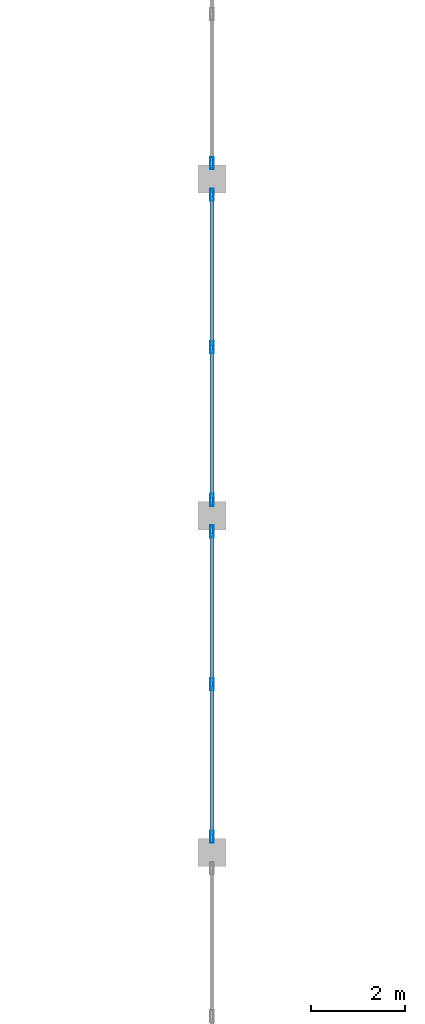
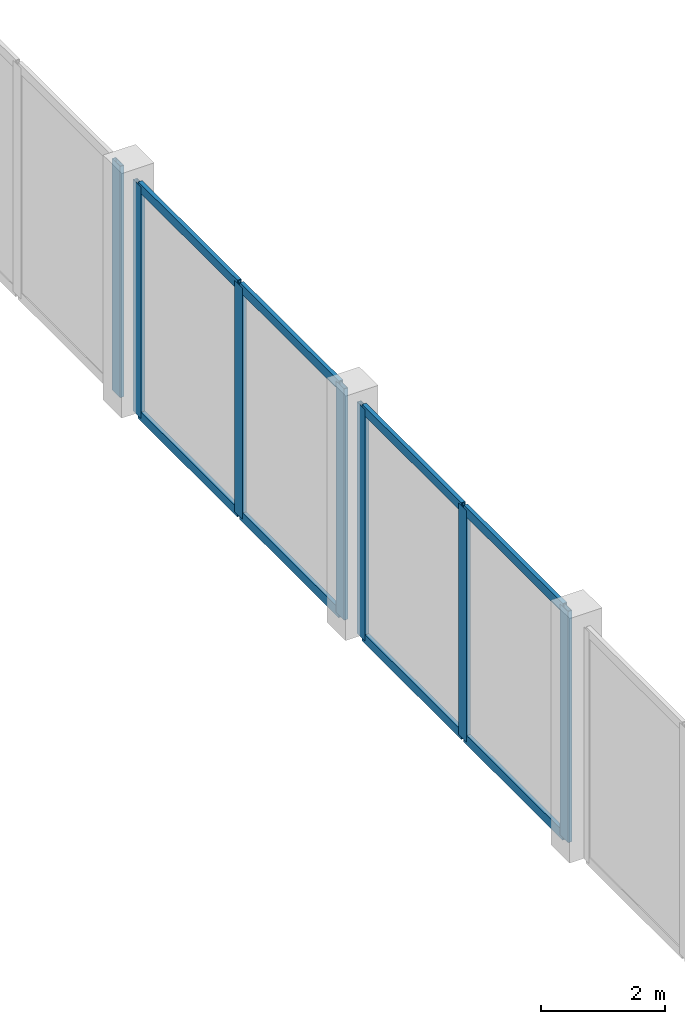
# One storey, part 30 of 99: 15 members, 3 elements without a shape of their own.
"""IFC4 building model written with IfcOpenShell, lengths in metres."""

import ifcopenshell
import ifcopenshell.guid

model = None  # the IFC model being written
_history = None  # IfcOwnerHistory: only IFC2X3 demands one
_inside = {}  # id of a spatial element -> (the spatial element, [elements in it])
_under = {}  # id of a project, library or spatial element -> (it, [spatial elements below it])
_declared = {}  # id of a project -> (the project, [libraries it declares])
_typed = {}  # id of a type object -> (the type object, [elements of that type])
_made_of = {}  # id of a material, layer set ... -> (it, [elements and type objects made of it])


def new_model(schema):
    """Start an empty IFC model of exactly this schema.

    Asked for "IFC4X3", IfcOpenShell would pick the latest addendum, in which some entities
    have other attributes; the version numbers below select the first issue.
    IFC2X3 requires an IfcOwnerHistory on every rooted entity: one is made here for all.
    """
    global model, _history
    if schema == "IFC4X3":
        model = ifcopenshell.file(schema_version=(4, 3, 0, 0))
    else:
        model = ifcopenshell.file(schema=schema)
    _inside.clear()
    _under.clear()
    _declared.clear()
    _typed.clear()
    _made_of.clear()
    _history = None
    if model.schema == "IFC2X3":
        org = make("IfcOrganization", Name="unknown")
        user = make(
            "IfcPersonAndOrganization",
            ThePerson=make("IfcPerson", FamilyName="unknown"),
            TheOrganization=org,
        )
        app = make(
            "IfcApplication",
            ApplicationDeveloper=org,
            Version="unknown",
            ApplicationFullName="unknown",
            ApplicationIdentifier="unknown",
        )
        _history = make(
            "IfcOwnerHistory",
            OwningUser=user,
            OwningApplication=app,
            ChangeAction="ADDED",
            CreationDate=0,
        )
    return model


def make(cls, **values):
    """One entity of the class cls with the attributes given. An attribute that is None is left unset."""
    return model.create_entity(
        cls, **{name: value for name, value in values.items() if value is not None}
    )


def rooted(cls, **values):
    """An entity with a GlobalId (a new one), such as an element, a storey or a relation."""
    return make(cls, GlobalId=ifcopenshell.guid.new(), OwnerHistory=_history, **values)


def si_unit(unit_type, name, prefix=None):
    """IfcSIUnit, for example si_unit("LENGTHUNIT", "METRE", prefix="MILLI")."""
    return make("IfcSIUnit", UnitType=unit_type, Prefix=prefix, Name=name)


def assignment(units):
    """IfcUnitAssignment: the units of a project."""
    return None if units is None else make("IfcUnitAssignment", Units=units)


def point(xyz):
    """IfcCartesianPoint."""
    return None if xyz is None else make("IfcCartesianPoint", Coordinates=xyz)


def direction(xyz):
    """IfcDirection."""
    return None if xyz is None else make("IfcDirection", DirectionRatios=xyz)


def frame(location, z_axis=None, x_axis=None):
    """IfcAxis2Placement3D, a coordinate frame: its origin and axes. An axis left out is left unset."""
    return make(
        "IfcAxis2Placement3D",
        Location=point(location),
        Axis=direction(z_axis),
        RefDirection=direction(x_axis),
    )


def frame_2d(location, x_axis=None):
    """IfcAxis2Placement2D, a coordinate frame in the plane: its origin and x axis."""
    return make(
        "IfcAxis2Placement2D", Location=point(location), RefDirection=direction(x_axis)
    )


def origin():
    """The frame at (0, 0, 0) with its axes left unset."""
    return frame((0.0, 0.0, 0.0))


def origin_2d():
    """The frame at (0, 0) in the plane with its x axis left unset."""
    return frame_2d((0.0, 0.0))


def place(relative_to, where):
    """IfcLocalPlacement: puts the frame where relative to a parent placement (None: the world)."""
    return make(
        "IfcLocalPlacement", PlacementRelTo=relative_to, RelativePlacement=where
    )


def context(
    kind, dimensions, precision=None, world=None, true_north=None, identifier=None
):
    """IfcGeometricRepresentationContext, for example the 3D "Model" context."""
    return make(
        "IfcGeometricRepresentationContext",
        ContextIdentifier=identifier,
        ContextType=kind,
        CoordinateSpaceDimension=dimensions,
        Precision=precision,
        WorldCoordinateSystem=world,
        TrueNorth=true_north,
    )


def subcontext(parent, identifier, kind, view, scale=None):
    """IfcGeometricRepresentationSubContext, for example "Body" below "Model"."""
    return make(
        "IfcGeometricRepresentationSubContext",
        ContextIdentifier=identifier,
        ContextType=kind,
        ParentContext=parent,
        TargetScale=scale,
        TargetView=view,
    )


def project(units=None, contexts=None):
    """IfcProject with its units and contexts."""
    return rooted(
        "IfcProject",
        Name="project",
        RepresentationContexts=contexts,
        UnitsInContext=assignment(units),
    )


def spatial(cls, under=None, at=None, **own):
    """A site, building, storey or space (cls), placed at a placement, below another one or the project."""
    s = rooted(cls, ObjectPlacement=at, **own)
    if under is not None:
        _under.setdefault(under.id(), (under, []))[1].append(s)
    return s


def profile(cls, at=None, kind="AREA", **sizes):
    """A parametric profile (cls). Its sizes go by their IFC names, for example OverallWidth=200.0."""
    return make(cls, ProfileType=kind, Position=at, **sizes)


def hollow_rectangle(**sizes):
    """IfcRectangleHollowProfileDef."""
    return profile("IfcRectangleHollowProfileDef", **sizes)


def extrude(swept, where, along, depth):
    """IfcExtrudedAreaSolid: the profile swept, set in the frame where, extruded along a direction by depth."""
    return make(
        "IfcExtrudedAreaSolid",
        SweptArea=swept,
        Position=where,
        ExtrudedDirection=direction(along),
        Depth=depth,
    )


def shape(context_of_items, identifier, shape_type, items):
    """IfcShapeRepresentation: the items that make up one representation, for example the "Body"."""
    return make(
        "IfcShapeRepresentation",
        ContextOfItems=context_of_items,
        RepresentationIdentifier=identifier,
        RepresentationType=shape_type,
        Items=items,
    )


def material(Name=None, Category=None):
    """IfcMaterial."""
    return make("IfcMaterial", Name=Name, Category=Category)


def material_profile(
    of_material, cross_section, Name=None, Category=None, Priority=None
):
    """IfcMaterialProfile: a cross section and its material."""
    return make(
        "IfcMaterialProfile",
        Name=Name,
        Material=of_material,
        Profile=cross_section,
        Priority=Priority,
        Category=Category,
    )


def profile_set(profiles, Name=None, composite=None):
    """IfcMaterialProfileSet."""
    return make(
        "IfcMaterialProfileSet",
        Name=Name,
        MaterialProfiles=profiles,
        CompositeProfile=composite,
    )


def made_of(thing, what):
    """Note that an element or type object is made of a material, layer set ...; save() writes the relation."""
    if what is not None:
        _made_of.setdefault(what.id(), (what, []))[1].append(thing)
    return thing


def type_object(cls, material=None, **own):
    """A type object (cls), such as IfcWallType, which elements share."""
    return made_of(rooted(cls, **own), material)


def element(
    cls,
    number,
    at=None,
    inside=None,
    cuts=None,
    type_object=None,
    material=None,
    context=None,
    identifier="Body",
    shape_type=None,
    held_by="IfcProductDefinitionShape",
    body=None,
    shapes=None,
    **own,
):
    """One element of the class cls, such as IfcWall. Its Tag is "e" and its number.

    at: its placement. inside: the storey or other place that contains it. cuts: it is an
    opening in that element (IfcRelVoidsElement). A single representation is given by context,
    identifier, shape_type and body (its items); several are given by shapes. held_by: the class
    of the entity that holds the representations. save() writes the other relations.
    """
    e = rooted(cls, Tag="e%d" % number, ObjectPlacement=at, **own)
    if body is not None:
        shapes = [shape(context, identifier, shape_type, body)]
    if shapes is not None:
        e.Representation = make(held_by, Representations=shapes)
    if inside is not None:
        _inside.setdefault(inside.id(), (inside, []))[1].append(e)
    if cuts is not None:
        rooted(
            "IfcRelVoidsElement", RelatingBuildingElement=cuts, RelatedOpeningElement=e
        )
    if type_object is not None:
        _typed.setdefault(type_object.id(), (type_object, []))[1].append(e)
    return made_of(e, material)


def aggregate(whole, parts):
    """IfcRelAggregates: a whole, such as a stair, and the parts it consists of."""
    return rooted("IfcRelAggregates", RelatingObject=whole, RelatedObjects=parts)


def save(model, path):
    """Write the relations noted so far, then the file.

    IfcRelAggregates (storeys below a building ...), IfcRelContainedInSpatialStructure (elements
    in a storey), IfcRelDefinesByType, IfcRelAssociatesMaterial and IfcRelDeclares: one each for
    every whole, place, type object, material and project.
    """
    for whole, parts in _under.values():
        aggregate(whole, parts)
    for where, things in _inside.values():
        rooted(
            "IfcRelContainedInSpatialStructure",
            RelatedElements=things,
            RelatingStructure=where,
        )
    for kind, things in _typed.values():
        rooted("IfcRelDefinesByType", RelatedObjects=things, RelatingType=kind)
    for what, things in _made_of.values():
        rooted("IfcRelAssociatesMaterial", RelatedObjects=things, RelatingMaterial=what)
    for by, libraries in _declared.values():
        rooted("IfcRelDeclares", RelatingContext=by, RelatedDefinitions=libraries)
    model.write(path)


model = new_model("IFC4")

# Units and contexts
model_context = context("Model", 3, precision=1e-05, world=origin(), true_north=direction((0.0, 1.0)))
body_context = subcontext(model_context, "Body", "Model", "MODEL_VIEW")
ifc_project = project(units=[si_unit("LENGTHUNIT", "METRE"), si_unit("AREAUNIT", "SQUARE_METRE"), si_unit("VOLUMEUNIT", "CUBIC_METRE"), si_unit("PLANEANGLEUNIT", "RADIAN"), si_unit("MASSUNIT", "GRAM", prefix="KILO")], contexts=[model_context])

# Site, building, storey
site_placement = place(None, origin())
site = spatial("IfcSite", under=ifc_project, at=site_placement, CompositionType="ELEMENT")
building_placement = place(site_placement, origin())
building = spatial("IfcBuilding", under=site, at=building_placement, Name="Vesperath Aquatics Centre", CompositionType="ELEMENT")
storey_placement = place(building_placement, frame((0.0, 0.0, 5.39990234375)))
storey = spatial("IfcBuildingStorey", under=building, at=storey_placement, Name="L01", CompositionType="ELEMENT", Elevation=5.39990234375)

# Curtain wall, members
ifc_material_1 = material(Name="Thermally broken anodised bronze aluminium curtain wall", Category="aluminium")
curtain_wall_type = type_object("IfcCurtainWallType", Name="CW-06", PredefinedType="NOTDEFINED", material=ifc_material_1)
curtain_wall_1_placement = place(storey_placement, origin())
curtain_wall_1 = element("IfcCurtainWall", 1, at=curtain_wall_1_placement, inside=storey, type_object=curtain_wall_type, Name="Facade Curtain Wall CW06 L01_E_08_13", PredefinedType="NOTDEFINED")
ifc_material_2 = material(Name="Thermally broken anodised aluminium", Category="aluminium")
ifc_material_profile_1 = material_profile(ifc_material_2, hollow_rectangle(XDim=0.074951171875, YDim=0.260009765625, WallThickness=0.006103515625, at=origin_2d()), Name="CWM 75x260x6")
ifc_profile_set_1 = profile_set([ifc_material_profile_1], Name="Thermally broken anodised aluminium")
member_type_1 = type_object("IfcMemberType", Name="MB-CWM1", PredefinedType="MULLION", material=ifc_profile_set_1)
member_1_placement = place(storey_placement, frame((57.60009765625, 93.9375, 0.0), z_axis=(0.0, 0.0, 1.0), x_axis=(-1.0, 0.0, 0.0)))
member_1 = element("IfcMember", 2, at=member_1_placement, type_object=member_type_1, Name="CW06 mullion 1", PredefinedType="MULLION", context=body_context, shape_type="SweptSolid", body=[
    extrude(hollow_rectangle(XDim=0.074951171875, YDim=0.260009765625, WallThickness=0.006103515625, at=origin_2d()), origin(), (0.0, 0.0, 1.0), 4.5400390625),
])
member_2_placement = place(storey_placement, frame((57.60009765625, 97.199951171875, 0.0), z_axis=(0.0, 0.0, 1.0), x_axis=(-1.0, 0.0, 0.0)))
member_2 = element("IfcMember", 3, at=member_2_placement, type_object=member_type_1, Name="CW06 mullion 2", PredefinedType="MULLION", context=body_context, shape_type="SweptSolid", body=[
    extrude(hollow_rectangle(XDim=0.074951171875, YDim=0.260009765625, WallThickness=0.006103515625, at=origin_2d()), origin(), (0.0, 0.0, 1.0), 4.5400390625),
])
member_3_placement = place(storey_placement, frame((57.60009765625, 100.46240234375, 0.0), z_axis=(0.0, 0.0, 1.0), x_axis=(-1.0, 0.0, 0.0)))
member_3 = element("IfcMember", 4, at=member_3_placement, type_object=member_type_1, Name="CW06 mullion 3", PredefinedType="MULLION", context=body_context, shape_type="SweptSolid", body=[
    extrude(hollow_rectangle(XDim=0.074951171875, YDim=0.260009765625, WallThickness=0.006103515625, at=origin_2d()), origin(), (0.0, 0.0, 1.0), 4.5400390625),
])

curtain_wall_2_placement = place(storey_placement, origin())
curtain_wall_2 = element("IfcCurtainWall", 5, at=curtain_wall_2_placement, inside=storey, type_object=curtain_wall_type, Name="Facade Curtain Wall CW06 L01_E_08_14", PredefinedType="NOTDEFINED")
member_4_placement = place(storey_placement, frame((57.60009765625, 101.137451171875, 0.0), z_axis=(0.0, 0.0, 1.0), x_axis=(-1.0, 0.0, 0.0)))
member_4 = element("IfcMember", 6, at=member_4_placement, type_object=member_type_1, Name="CW06 mullion 1", PredefinedType="MULLION", context=body_context, shape_type="SweptSolid", body=[
    extrude(hollow_rectangle(XDim=0.074951171875, YDim=0.260009765625, WallThickness=0.006103515625, at=origin_2d()), origin(), (0.0, 0.0, 1.0), 4.5400390625),
])
member_5_placement = place(storey_placement, frame((57.60009765625, 104.39990234375, 0.0), z_axis=(0.0, 0.0, 1.0), x_axis=(-1.0, 0.0, 0.0)))
member_5 = element("IfcMember", 7, at=member_5_placement, type_object=member_type_1, Name="CW06 mullion 2", PredefinedType="MULLION", context=body_context, shape_type="SweptSolid", body=[
    extrude(hollow_rectangle(XDim=0.074951171875, YDim=0.260009765625, WallThickness=0.006103515625, at=origin_2d()), origin(), (0.0, 0.0, 1.0), 4.5400390625),
])
member_6_placement = place(storey_placement, frame((57.60009765625, 107.66259765625, 0.0), z_axis=(0.0, 0.0, 1.0), x_axis=(-1.0, 0.0, 0.0)))
member_6 = element("IfcMember", 8, at=member_6_placement, type_object=member_type_1, Name="CW06 mullion 3", PredefinedType="MULLION", context=body_context, shape_type="SweptSolid", body=[
    extrude(hollow_rectangle(XDim=0.074951171875, YDim=0.260009765625, WallThickness=0.006103515625, at=origin_2d()), origin(), (0.0, 0.0, 1.0), 4.5400390625),
])

# Curtain wall, member
curtain_wall_3_placement = place(storey_placement, origin())
curtain_wall_3 = element("IfcCurtainWall", 9, at=curtain_wall_3_placement, inside=storey, type_object=curtain_wall_type, Name="Facade Curtain Wall CW06 L01_E_08_15", PredefinedType="NOTDEFINED")
member_7_placement = place(storey_placement, frame((57.60009765625, 108.33740234375, 0.0), z_axis=(0.0, 0.0, 1.0), x_axis=(-1.0, 0.0, 0.0)))
member_7 = element("IfcMember", 10, at=member_7_placement, type_object=member_type_1, Name="CW06 mullion 1", PredefinedType="MULLION", context=body_context, shape_type="SweptSolid", body=[
    extrude(hollow_rectangle(XDim=0.074951171875, YDim=0.260009765625, WallThickness=0.006103515625, at=origin_2d()), origin(), (0.0, 0.0, 1.0), 4.5400390625),
])
aggregate(curtain_wall_3, [member_7])

# Member
ifc_material_profile_2 = material_profile(ifc_material_2, hollow_rectangle(XDim=0.074951171875, YDim=0.179931640625, WallThickness=0.0048828125, at=origin_2d()), Name="CWT 75x180x5")
ifc_profile_set_2 = profile_set([ifc_material_profile_2], Name="Thermally broken anodised aluminium")
member_type_2 = type_object("IfcMemberType", Name="MB-CWT1", PredefinedType="USERDEFINED", material=ifc_profile_set_2)
member_8_placement = place(storey_placement, frame((57.60009765625, 93.97509765625, 0.03759765625), z_axis=(0.0, 1.0, 0.0), x_axis=(-1.0, 0.0, 0.0)))
member_8 = element("IfcMember", 11, at=member_8_placement, type_object=member_type_2, Name="CW06 transom 1.1", ObjectType="TRANSOM", PredefinedType="USERDEFINED", context=body_context, shape_type="SweptSolid", body=[
    extrude(hollow_rectangle(XDim=0.074951171875, YDim=0.179931640625, WallThickness=0.0048828125, at=origin_2d()), origin(), (0.0, 0.0, 1.0), 3.1875),
])

member_9_placement = place(storey_placement, frame((57.60009765625, 93.97509765625, 4.502685546875), z_axis=(0.0, 1.0, 0.0), x_axis=(-1.0, 0.0, 0.0)))
member_9 = element("IfcMember", 12, at=member_9_placement, type_object=member_type_2, Name="CW06 transom 1.2", ObjectType="TRANSOM", PredefinedType="USERDEFINED", context=body_context, shape_type="SweptSolid", body=[
    extrude(hollow_rectangle(XDim=0.074951171875, YDim=0.179931640625, WallThickness=0.0048828125, at=origin_2d()), origin(), (0.0, 0.0, 1.0), 3.1875),
])

member_10_placement = place(storey_placement, frame((57.60009765625, 97.237548828125, 0.03759765625), z_axis=(0.0, 1.0, 0.0), x_axis=(-1.0, 0.0, 0.0)))
member_10 = element("IfcMember", 13, at=member_10_placement, type_object=member_type_2, Name="CW06 transom 2.1", ObjectType="TRANSOM", PredefinedType="USERDEFINED", context=body_context, shape_type="SweptSolid", body=[
    extrude(hollow_rectangle(XDim=0.074951171875, YDim=0.179931640625, WallThickness=0.0048828125, at=origin_2d()), origin(), (0.0, 0.0, 1.0), 3.1875),
])

member_11_placement = place(storey_placement, frame((57.60009765625, 97.237548828125, 4.502685546875), z_axis=(0.0, 1.0, 0.0), x_axis=(-1.0, 0.0, 0.0)))
member_11 = element("IfcMember", 14, at=member_11_placement, type_object=member_type_2, Name="CW06 transom 2.2", ObjectType="TRANSOM", PredefinedType="USERDEFINED", context=body_context, shape_type="SweptSolid", body=[
    extrude(hollow_rectangle(XDim=0.074951171875, YDim=0.179931640625, WallThickness=0.0048828125, at=origin_2d()), origin(), (0.0, 0.0, 1.0), 3.1875),
])

aggregate(curtain_wall_1, [member_1, member_2, member_3, member_8, member_9, member_10, member_11])

member_12_placement = place(storey_placement, frame((57.60009765625, 101.175048828125, 0.03759765625), z_axis=(0.0, 1.0, 0.0), x_axis=(-1.0, 0.0, 0.0)))
member_12 = element("IfcMember", 15, at=member_12_placement, type_object=member_type_2, Name="CW06 transom 1.1", ObjectType="TRANSOM", PredefinedType="USERDEFINED", context=body_context, shape_type="SweptSolid", body=[
    extrude(hollow_rectangle(XDim=0.074951171875, YDim=0.179931640625, WallThickness=0.0048828125, at=origin_2d()), origin(), (0.0, 0.0, 1.0), 3.1875),
])

member_13_placement = place(storey_placement, frame((57.60009765625, 101.175048828125, 4.502685546875), z_axis=(0.0, 1.0, 0.0), x_axis=(-1.0, 0.0, 0.0)))
member_13 = element("IfcMember", 16, at=member_13_placement, type_object=member_type_2, Name="CW06 transom 1.2", ObjectType="TRANSOM", PredefinedType="USERDEFINED", context=body_context, shape_type="SweptSolid", body=[
    extrude(hollow_rectangle(XDim=0.074951171875, YDim=0.179931640625, WallThickness=0.0048828125, at=origin_2d()), origin(), (0.0, 0.0, 1.0), 3.1875),
])

member_14_placement = place(storey_placement, frame((57.60009765625, 104.4375, 0.03759765625), z_axis=(0.0, 1.0, 0.0), x_axis=(-1.0, 0.0, 0.0)))
member_14 = element("IfcMember", 17, at=member_14_placement, type_object=member_type_2, Name="CW06 transom 2.1", ObjectType="TRANSOM", PredefinedType="USERDEFINED", context=body_context, shape_type="SweptSolid", body=[
    extrude(hollow_rectangle(XDim=0.074951171875, YDim=0.179931640625, WallThickness=0.0048828125, at=origin_2d()), origin(), (0.0, 0.0, 1.0), 3.1875),
])

member_15_placement = place(storey_placement, frame((57.60009765625, 104.4375, 4.502685546875), z_axis=(0.0, 1.0, 0.0), x_axis=(-1.0, 0.0, 0.0)))
member_15 = element("IfcMember", 18, at=member_15_placement, type_object=member_type_2, Name="CW06 transom 2.2", ObjectType="TRANSOM", PredefinedType="USERDEFINED", context=body_context, shape_type="SweptSolid", body=[
    extrude(hollow_rectangle(XDim=0.074951171875, YDim=0.179931640625, WallThickness=0.0048828125, at=origin_2d()), origin(), (0.0, 0.0, 1.0), 3.1875),
])

aggregate(curtain_wall_2, [member_4, member_5, member_6, member_12, member_13, member_14, member_15])

save(model, "model.ifc")
